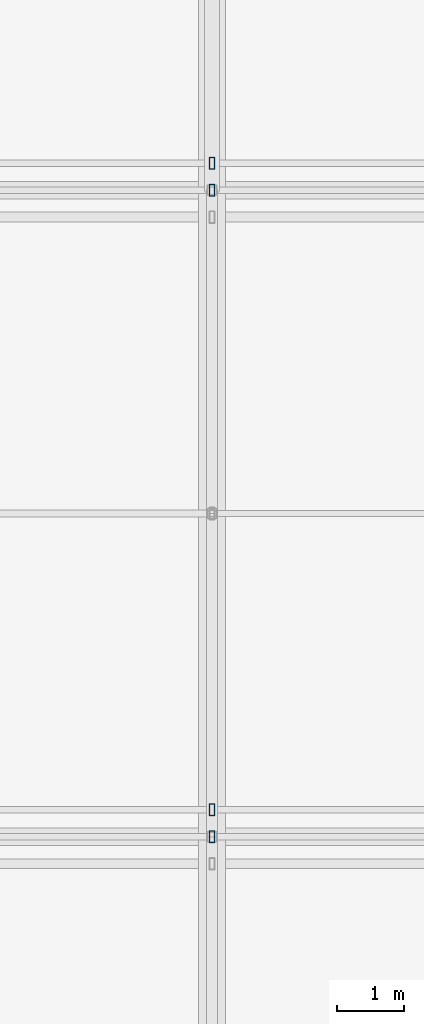
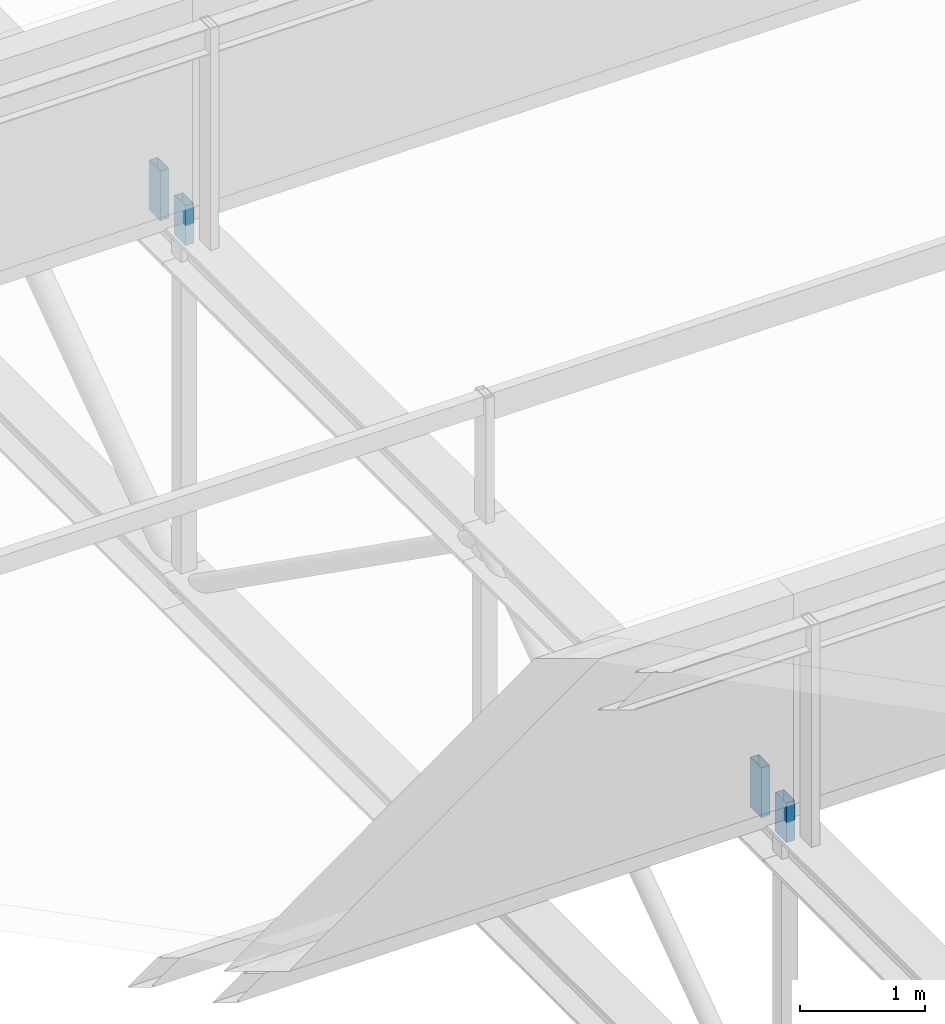
# One storey, part 84 of 136: 4 members.
"""IFC4 building model written with IfcOpenShell, lengths in metres."""

from ifc_helpers import new_model, si_unit, direction, frame, origin, origin_2d, place, context, subcontext, project, spatial, hollow_rectangle, extrude, material, material_profile, profile_set, type_object, element, save


model = new_model("IFC4")

# Units and contexts
model_context = context("Model", 3, precision=1e-05, world=origin(), true_north=direction((0.0, 1.0)))
body_context = subcontext(model_context, "Body", "Model", "MODEL_VIEW")
ifc_project = project(units=[si_unit("LENGTHUNIT", "METRE"), si_unit("AREAUNIT", "SQUARE_METRE"), si_unit("VOLUMEUNIT", "CUBIC_METRE"), si_unit("PLANEANGLEUNIT", "RADIAN"), si_unit("MASSUNIT", "GRAM", prefix="KILO")], contexts=[model_context])

# Site, building, storey
site_placement = place(None, origin())
site = spatial("IfcSite", under=ifc_project, at=site_placement, CompositionType="ELEMENT")
building_placement = place(site_placement, origin())
building = spatial("IfcBuilding", under=site, at=building_placement, Name="Kisiwana Market Hall", CompositionType="ELEMENT")
storey_placement = place(building_placement, frame((0.0, 0.0, 16.800048828125)))
storey = spatial("IfcBuildingStorey", under=building, at=storey_placement, Name="L03", CompositionType="ELEMENT", Elevation=16.800048828125)

# Members
ifc_material = material(Name="Steel S355", Category="steel")
ifc_material_profile = material_profile(ifc_material, hollow_rectangle(XDim=0.080078125, YDim=0.179931640625, WallThickness=0.00634765625, at=origin_2d()), Name="RHS 180x80x6.3")
ifc_profile_set = profile_set([ifc_material_profile], Name="Steel S355")
member_type = type_object("IfcMemberType", Name="MB-CAN-STRUT", PredefinedType="STRUT", material=ifc_profile_set)
member_1_placement = place(storey_placement, frame((63.0, 64.800048828125, 3.619873046875), z_axis=(0.0, 0.0, 1.0), x_axis=(1.0, 0.0, 0.0)))
element("IfcMember", 1, at=member_1_placement, inside=storey, type_object=member_type, Name="Sawtooth raker post 248 M-0277", PredefinedType="STRUT", context=body_context, shape_type="SweptSolid", body=[
    extrude(hollow_rectangle(XDim=0.080078125, YDim=0.179931640625, WallThickness=0.00634765625, at=origin_2d()), origin(), (0.0, 0.0, 1.0), 0.385009765625),
])
member_2_placement = place(storey_placement, frame((63.0, 65.199951171875, 3.619873046875), z_axis=(0.0, 0.0, 1.0), x_axis=(1.0, 0.0, 0.0)))
element("IfcMember", 2, at=member_2_placement, inside=storey, type_object=member_type, Name="Sawtooth raker post 291 M-0299", PredefinedType="STRUT", context=body_context, shape_type="SweptSolid", body=[
    extrude(hollow_rectangle(XDim=0.080078125, YDim=0.179931640625, WallThickness=0.00634765625, at=origin_2d()), origin(), (0.0, 0.0, 1.0), 0.485107421875),
])
member_3_placement = place(storey_placement, frame((63.0, 74.39990234375, 3.619873046875), z_axis=(0.0, 0.0, 1.0), x_axis=(1.0, 0.0, 0.0)))
element("IfcMember", 3, at=member_3_placement, inside=storey, type_object=member_type, Name="Sawtooth raker post 293 M-0301", PredefinedType="STRUT", context=body_context, shape_type="SweptSolid", body=[
    extrude(hollow_rectangle(XDim=0.080078125, YDim=0.179931640625, WallThickness=0.00634765625, at=origin_2d()), origin(), (0.0, 0.0, 1.0), 0.385009765625),
])
member_4_placement = place(storey_placement, frame((63.0, 74.800048828125, 3.619873046875), z_axis=(0.0, 0.0, 1.0), x_axis=(1.0, 0.0, 0.0)))
element("IfcMember", 4, at=member_4_placement, inside=storey, type_object=member_type, Name="Sawtooth raker post 335 M-0322", PredefinedType="STRUT", context=body_context, shape_type="SweptSolid", body=[
    extrude(hollow_rectangle(XDim=0.080078125, YDim=0.179931640625, WallThickness=0.00634765625, at=origin_2d()), origin(), (0.0, 0.0, 1.0), 0.485107421875),
])

save(model, "model.ifc")
